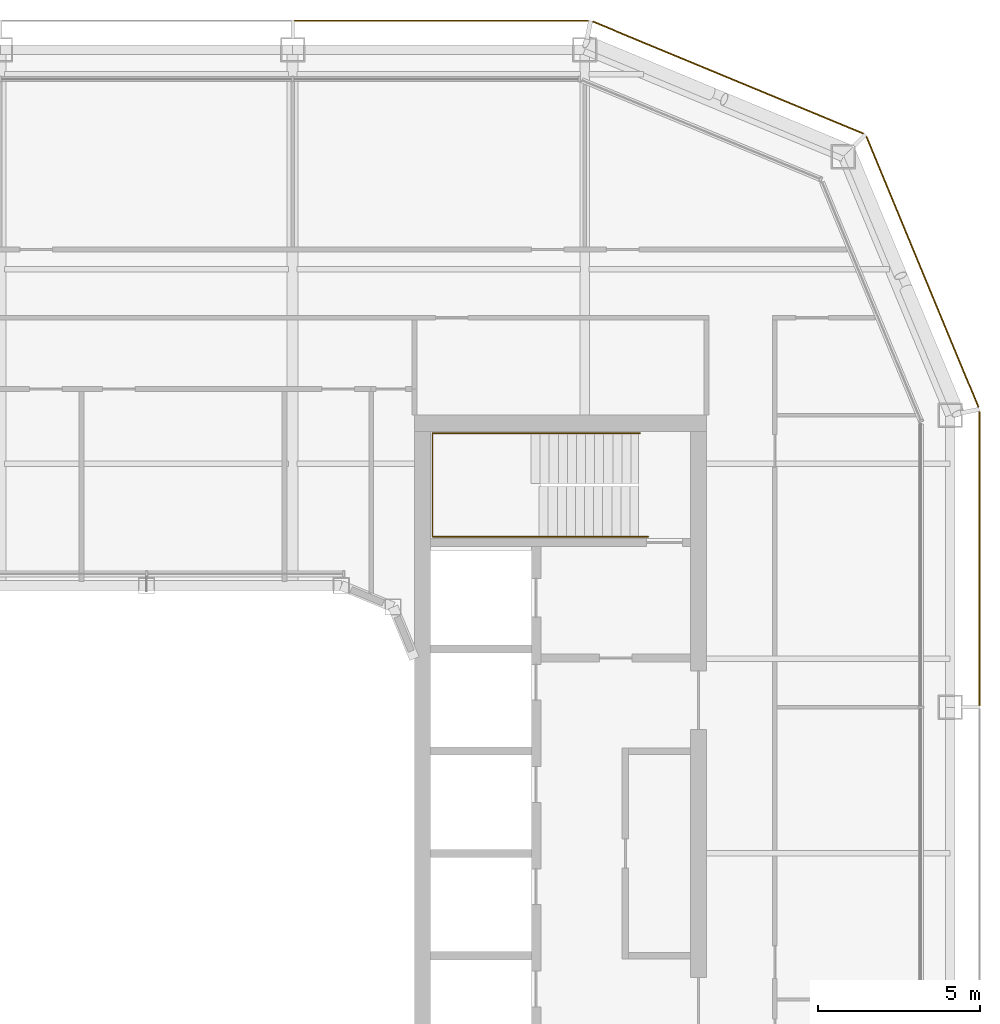
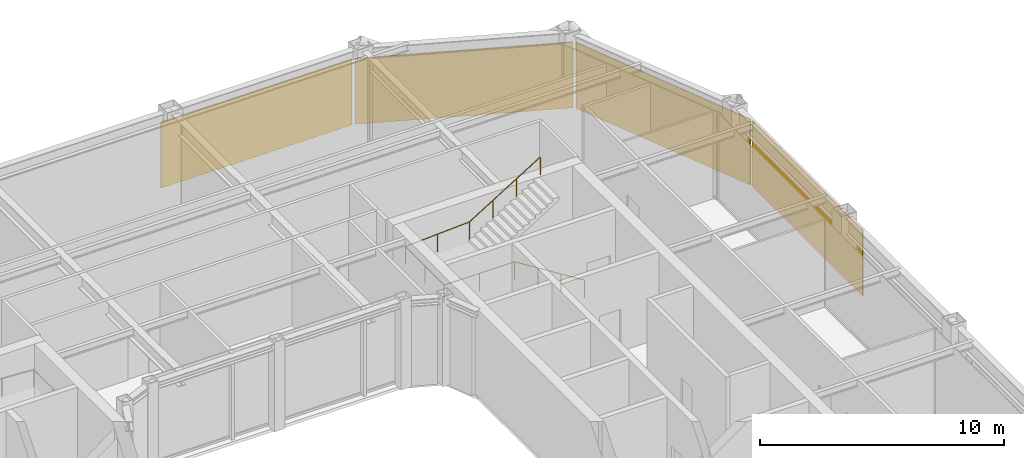
# One storey, part 19 of 20: 4 coverings, 1 railing.
"""IFC4 building model written with IfcOpenShell, lengths in metres."""

from ifc_helpers import new_model, si_unit, direction, frame, origin, origin_2d, place, context, subcontext, project, spatial, rectangle, circle, extrude, material, layer, layer_set, type_object, element, save


model = new_model("IFC4")

# Units and contexts
model_context = context("Model", 3, precision=1e-05, world=origin(), true_north=direction((0.0, 1.0)))
body_context = subcontext(model_context, "Body", "Model", "MODEL_VIEW")
ifc_project = project(units=[si_unit("LENGTHUNIT", "METRE"), si_unit("AREAUNIT", "SQUARE_METRE"), si_unit("VOLUMEUNIT", "CUBIC_METRE"), si_unit("PLANEANGLEUNIT", "RADIAN"), si_unit("MASSUNIT", "GRAM", prefix="KILO")], contexts=[model_context])

# Site, building, storey
site_placement = place(None, origin())
site = spatial("IfcSite", under=ifc_project, at=site_placement, CompositionType="ELEMENT")
building_placement = place(site_placement, origin())
building = spatial("IfcBuilding", under=site, at=building_placement, Name="Siwar Civic Tower", CompositionType="ELEMENT")
storey_placement = place(building_placement, frame((0.0, 0.0, 298.699951171875)))
storey = spatial("IfcBuildingStorey", under=building, at=storey_placement, Name="L64", CompositionType="ELEMENT", Elevation=298.699951171875)

# Railing
ifc_material_1 = material(Name="Stainless steel", Category="steel")
railing_type = type_object("IfcRailingType", Name="CORE-STAIR-HANDRAIL", PredefinedType="HANDRAIL", material=ifc_material_1)
railing_placement = place(storey_placement, frame((15.449951171875, 9.758056640625, 0.173095703125)))
element("IfcRailing", 1, at=railing_placement, inside=storey, type_object=railing_type, Name="Stair handrail ST3", PredefinedType="HANDRAIL", context=body_context, shape_type="SweptSolid", body=[
    extrude(circle(Radius=0.02001953125, at=origin_2d()), frame((0.0, 0.0, 0.8798828125), z_axis=(-0.847063342986, 0.0, 0.531491950051), x_axis=(0.0, -1.0, 0.0)), (0.0, 0.0, 1.0), 3.90771484375),
    extrude(circle(Radius=0.02001953125, at=origin_2d()), frame((-3.31005859375, 0.0, 2.956787109375), z_axis=(-1.0, 0.0, 0.0), x_axis=(0.0, -1.0, 0.0)), (0.0, 0.0, 1.0), 3.331787109375),
    extrude(circle(Radius=0.02001953125, at=origin_2d()), frame((-6.641845703125, 0.0, 2.956787109375), z_axis=(0.0, 1.0, 0.0), x_axis=(-1.0, 0.0, 0.0)), (0.0, 0.0, 1.0), 3.183837890625),
    extrude(circle(Radius=0.02001953125, at=origin_2d()), frame((-6.641845703125, 3.183837890625, 2.956787109375), z_axis=(0.99837434197, 0.0, 0.056997134106), x_axis=(0.0, 1.0, 0.0)), (0.0, 0.0, 1.0), 3.036865234375),
    extrude(circle(Radius=0.02001953125, at=origin_2d()), frame((-3.60986328125, 3.183837890625, 3.1298828125), z_axis=(0.850606129759, 0.0, 0.525803396734), x_axis=(0.0, 1.0, 0.0)), (0.0, 0.0, 1.0), 3.949951171875),
    extrude(circle(Radius=0.02001953125, at=origin_2d()), origin(), (0.0, 0.0, 1.0), 0.85986328125),
    extrude(circle(Radius=0.02001953125, at=origin_2d()), frame((-1.103271484375, 0.0, 0.6923828125)), (0.0, 0.0, 1.0), 0.85986328125),
    extrude(circle(Radius=0.02001953125, at=origin_2d()), frame((-2.206787109375, 0.0, 1.384521484375)), (0.0, 0.0, 1.0), 0.85986328125),
    extrude(circle(Radius=0.02001953125, at=origin_2d()), frame((-3.31005859375, 0.0, 2.076904296875)), (0.0, 0.0, 1.0), 0.85986328125),
    extrude(circle(Radius=0.02001953125, at=origin_2d()), frame((-4.97607421875, 0.0, 2.076904296875)), (0.0, 0.0, 1.0), 0.85986328125),
    extrude(circle(Radius=0.02001953125, at=origin_2d()), frame((-6.641845703125, 0.0, 2.076904296875)), (0.0, 0.0, 1.0), 0.85986328125),
    extrude(circle(Radius=0.02001953125, at=origin_2d()), frame((-6.641845703125, 1.591796875, 2.076904296875)), (0.0, 0.0, 1.0), 0.85986328125),
    extrude(circle(Radius=0.02001953125, at=origin_2d()), frame((-6.641845703125, 3.183837890625, 2.076904296875)), (0.0, 0.0, 1.0), 0.85986328125),
    extrude(circle(Radius=0.02001953125, at=origin_2d()), frame((-5.1259765625, 3.183837890625, 2.16357421875)), (0.0, 0.0, 1.0), 0.85986328125),
    extrude(circle(Radius=0.02001953125, at=origin_2d()), frame((-3.60986328125, 3.183837890625, 2.25)), (0.0, 0.0, 1.0), 0.85986328125),
    extrude(circle(Radius=0.02001953125, at=origin_2d()), frame((-2.489990234375, 3.183837890625, 2.9423828125)), (0.0, 0.0, 1.0), 0.85986328125),
    extrude(circle(Radius=0.02001953125, at=origin_2d()), frame((-1.369873046875, 3.183837890625, 3.634521484375)), (0.0, 0.0, 1.0), 0.85986328125),
    extrude(circle(Radius=0.02001953125, at=origin_2d()), frame((-0.25, 3.183837890625, 4.326904296875)), (0.0, 0.0, 1.0), 0.85986328125),
])

# Coverings
ifc_material_2 = material(Name="Perforated aluminium cassette, pale metal", Category="aluminium")
ifc_layer = layer(ifc_material_2, 0.0400390625)
ifc_layer_set = layer_set([ifc_layer], Name="Perforated aluminium cassette, pale metal")
covering_type = type_object("IfcCoveringType", Name="ENV-OUTER SKIN OS-1", PredefinedType="CLADDING", material=ifc_layer_set)
covering_1_placement = place(storey_placement, frame((25.64990234375, 9.07958984375, -0.14990234375), z_axis=(0.0, 0.0, 1.0), x_axis=(0.0, 1.0, 0.0)))
element("IfcCovering", 2, at=covering_1_placement, inside=storey, type_object=covering_type, Name="OUTER SKIN OS-1 E 3", PredefinedType="CLADDING", context=body_context, shape_type="SweptSolid", body=[
    extrude(rectangle(XDim=9.05908203125, YDim=0.0400390625, at=origin_2d()), origin(), (0.0, 0.0, 1.0), 3.300048828125),
])
for number, where, z_axis, x_axis, name in (
    (3, (23.89697265625, 17.911376953125, -0.14990234375), (0.0, 0.0, 1.0), (-0.382683432365, 0.923879532511, 0.0), "OUTER SKIN OS-1 NE1 1"),
    (4, (17.911376953125, 23.89697265625, -0.14990234375), (0.0, 0.0, 1.0), (-0.923879532511, 0.382683432365, 0.0), "OUTER SKIN OS-1 NE2 1"),
):
    element("IfcCovering", number, at=place(storey_placement, frame(where, z_axis=z_axis, x_axis=x_axis)), inside=storey, type_object=covering_type, Name=name, PredefinedType="CLADDING", context=body_context, shape_type="SweptSolid", body=[
        extrude(rectangle(XDim=9.022216796875, YDim=0.0400390625, at=origin_2d()), origin(), (0.0, 0.0, 1.0), 3.300048828125),
    ])
covering_2_placement = place(storey_placement, frame((9.07958984375, 25.64990234375, -0.14990234375), z_axis=(0.0, 0.0, 1.0), x_axis=(-1.0, 0.0, 0.0)))
element("IfcCovering", 5, at=covering_2_placement, inside=storey, type_object=covering_type, Name="OUTER SKIN OS-1 N 1", PredefinedType="CLADDING", context=body_context, shape_type="SweptSolid", body=[
    extrude(rectangle(XDim=9.05908203125, YDim=0.0400390625, at=origin_2d()), origin(), (0.0, 0.0, 1.0), 3.300048828125),
])

save(model, "model.ifc")
